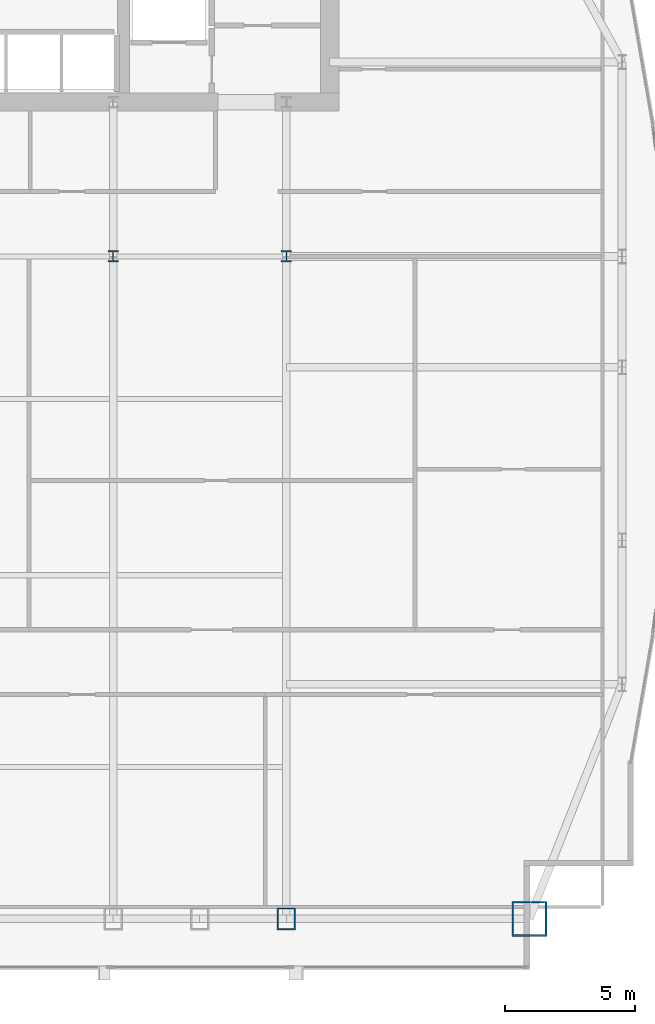
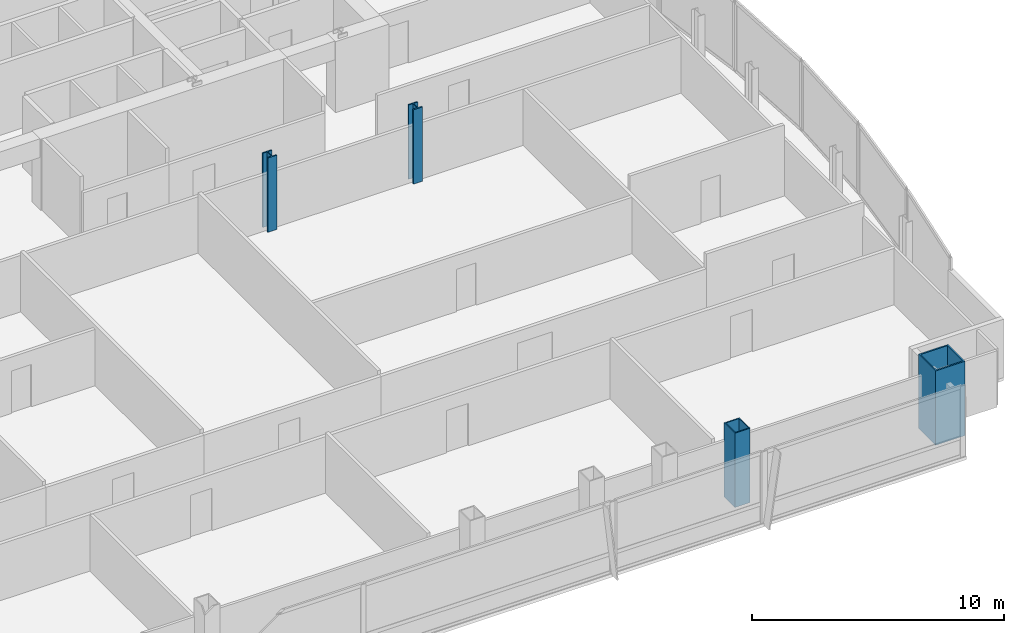
# One storey, part 2 of 29: 4 columns.
"""IFC4 building model written with IfcOpenShell, lengths in metres."""

from ifc_helpers import new_model, si_unit, direction, frame, origin, origin_2d, place, context, subcontext, project, spatial, hollow_rectangle, i_section, extrude, material, material_profile, profile_set, type_object, element, save


model = new_model("IFC4")

# Units and contexts
model_context = context("Model", 3, precision=1e-05, world=origin(), true_north=direction((0.0, 1.0)))
body_context = subcontext(model_context, "Body", "Model", "MODEL_VIEW")
ifc_project = project(units=[si_unit("LENGTHUNIT", "METRE"), si_unit("AREAUNIT", "SQUARE_METRE"), si_unit("VOLUMEUNIT", "CUBIC_METRE"), si_unit("PLANEANGLEUNIT", "RADIAN"), si_unit("MASSUNIT", "GRAM", prefix="KILO")], contexts=[model_context])

# Site, building, storey
site_placement = place(None, origin())
site = spatial("IfcSite", under=ifc_project, at=site_placement, CompositionType="ELEMENT")
building_placement = place(site_placement, origin())
building = spatial("IfcBuilding", under=site, at=building_placement, Name="Khoronbel Lancet Exchange", CompositionType="ELEMENT")
storey_placement = place(building_placement, frame((0.0, 0.0, 150.60009765625)))
storey = spatial("IfcBuildingStorey", under=building, at=storey_placement, Name="L37", CompositionType="ELEMENT", Elevation=150.60009765625)

# Columns
ifc_material = material(Name="Steel S460", Category="steel")
ifc_material_profile_1 = material_profile(ifc_material, hollow_rectangle(XDim=0.699951171875, YDim=0.85009765625, WallThickness=0.050048828125, at=origin_2d()), Name="BOX 850x700x50")
ifc_profile_set_1 = profile_set([ifc_material_profile_1], Name="Steel S460")
column_type_1 = type_object("IfcColumnType", Name="COL-EC2", PredefinedType="COLUMN", material=ifc_profile_set_1)
column_1_placement = place(storey_placement, frame((54.675048828125, 10.14990234375, 0.0), z_axis=(0.0, 0.0, 1.0), x_axis=(1.0, 0.0, 0.0)))
element("IfcColumn", 1, at=column_1_placement, inside=storey, type_object=column_type_1, Name="Structural column SC-E2 L37", PredefinedType="COLUMN", context=body_context, shape_type="SweptSolid", body=[
    extrude(hollow_rectangle(XDim=0.699951171875, YDim=0.85009765625, WallThickness=0.050048828125, at=origin_2d()), origin(), (0.0, 0.0, 1.0), 3.599853515625),
])
ifc_material_profile_2 = material_profile(ifc_material, i_section(OverallWidth=0.416015625, OverallDepth=0.446044921875, WebThickness=0.0390625, FlangeThickness=0.062744140625, at=origin_2d()), Name="HD 400x509")
ifc_profile_set_2 = profile_set([ifc_material_profile_2], Name="Steel S460")
column_type_2 = type_object("IfcColumnType", Name="COL-IC2", PredefinedType="COLUMN", material=ifc_profile_set_2)
for number, where, z_axis, x_axis, name in (
    (2, (48.0, 35.699951171875, 0.0), (0.0, 0.0, 1.0), (1.0, 0.0, 0.0), "Spine gravity column TC3 L37"),
    (3, (54.675048828125, 35.699951171875, 0.0), (0.0, 0.0, 1.0), (1.0, 0.0, 0.0), "Spine gravity column TC4 L37"),
):
    element("IfcColumn", number, at=place(storey_placement, frame(where, z_axis=z_axis, x_axis=x_axis)), inside=storey, type_object=column_type_2, Name=name, PredefinedType="COLUMN", context=body_context, shape_type="SweptSolid", body=[
        extrude(i_section(OverallWidth=0.416015625, OverallDepth=0.446044921875, WebThickness=0.0390625, FlangeThickness=0.062744140625, at=origin_2d()), origin(), (0.0, 0.0, 1.0), 3.599853515625),
    ])
ifc_material_profile_3 = material_profile(ifc_material, hollow_rectangle(XDim=1.35009765625, YDim=1.35009765625, WallThickness=0.06494140625, at=origin_2d()), Name="BOX 1350x1350x65")
ifc_profile_set_3 = profile_set([ifc_material_profile_3], Name="Steel S460")
column_type_3 = type_object("IfcColumnType", Name="COL-MC4", PredefinedType="COLUMN", material=ifc_profile_set_3)
column_2_placement = place(storey_placement, frame((64.050048828125, 10.14990234375, 0.0), z_axis=(0.0, 0.0, 1.0), x_axis=(1.0, 0.0, 0.0)))
element("IfcColumn", 4, at=column_2_placement, inside=storey, type_object=column_type_3, Name="Structural column MC-SE L37", PredefinedType="COLUMN", context=body_context, shape_type="SweptSolid", body=[
    extrude(hollow_rectangle(XDim=1.35009765625, YDim=1.35009765625, WallThickness=0.06494140625, at=origin_2d()), origin(), (0.0, 0.0, 1.0), 3.599853515625),
])

save(model, "model.ifc")
